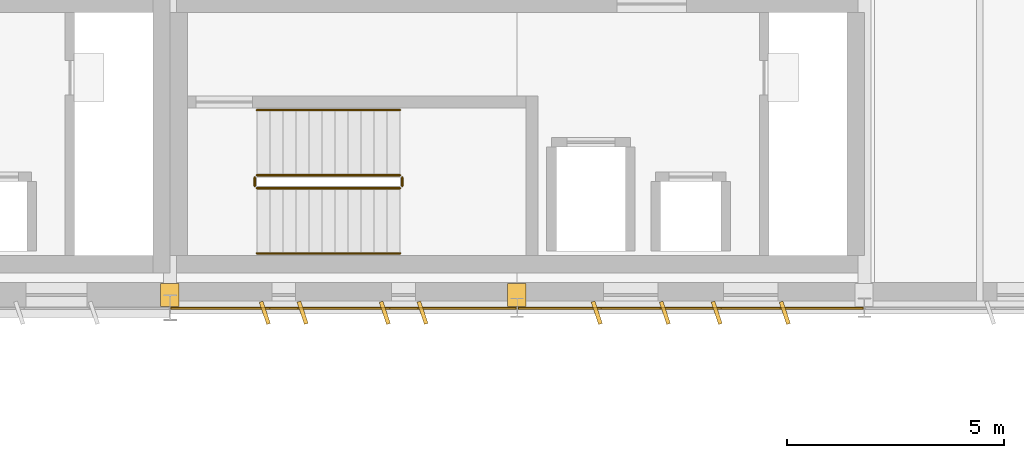
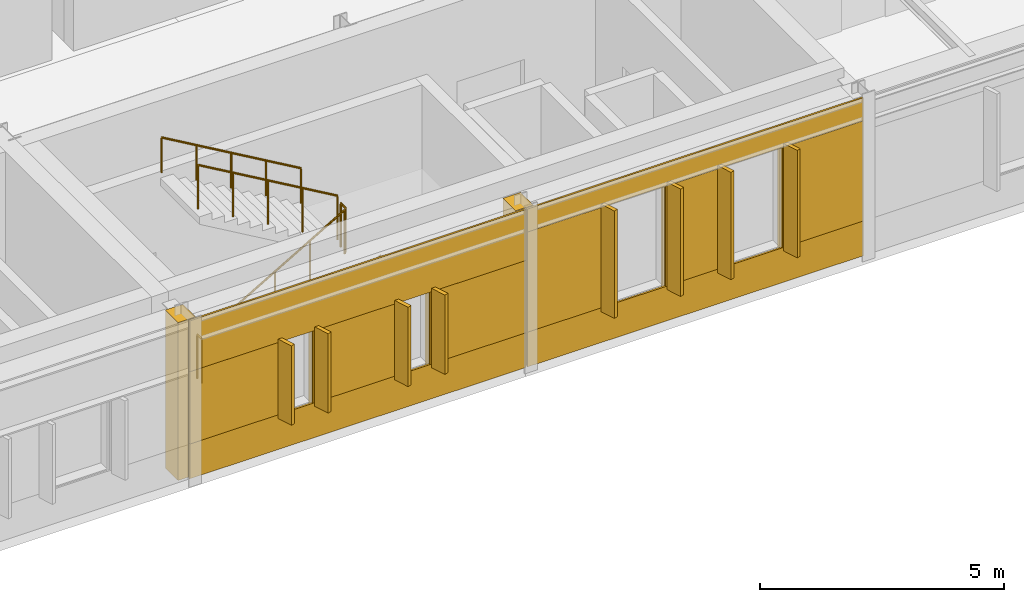
# One storey, part 51 of 63: 20 coverings, 6 railings.
"""IFC4 building model written with IfcOpenShell, lengths in metres."""

from ifc_helpers import new_model, si_unit, direction, frame, frame_2d, origin, origin_2d, place, context, subcontext, project, spatial, rectangle, circle, extrude, material, layer, layer_set, type_object, element, save


model = new_model("IFC4")

# Units and contexts
model_context = context("Model", 3, precision=1e-05, world=origin(), true_north=direction((0.0, 1.0)))
body_context = subcontext(model_context, "Body", "Model", "MODEL_VIEW")
ifc_project = project(units=[si_unit("LENGTHUNIT", "METRE"), si_unit("AREAUNIT", "SQUARE_METRE"), si_unit("VOLUMEUNIT", "CUBIC_METRE"), si_unit("PLANEANGLEUNIT", "RADIAN"), si_unit("MASSUNIT", "GRAM", prefix="KILO")], contexts=[model_context])

# Site, building, storey
site_placement = place(None, origin())
site = spatial("IfcSite", under=ifc_project, at=site_placement, CompositionType="ELEMENT")
building_placement = place(site_placement, origin())
building = spatial("IfcBuilding", under=site, at=building_placement, Name="Valkorina Park Police Headquarters", CompositionType="ELEMENT")
storey_placement = place(building_placement, frame((0.0, 0.0, 9.89990234375)))
storey = spatial("IfcBuildingStorey", under=building, at=storey_placement, Name="L03", CompositionType="ELEMENT", Elevation=9.89990234375)

# Coverings
ifc_material_1 = material(Name="Precast concrete C40/50", Category="concrete")
ifc_layer = layer(ifc_material_1, 0.044921875)
ifc_layer_set = layer_set([ifc_layer], Name="Precast concrete C40/50")
covering_type = type_object("IfcCoveringType", Name="COV-CLAD-DOLOMITE", PredefinedType="CLADDING", material=ifc_layer_set)
covering_1_placement = place(storey_placement, frame((40.7900390625, 37.2900390625, 0.0), z_axis=(0.0, 0.0, 1.0), x_axis=(1.0, 0.0, 0.0)))
element("IfcCovering", 1, at=covering_1_placement, inside=storey, type_object=covering_type, Name="L03 Exterior Joint Closure Pilaster B 2142", PredefinedType="CLADDING", context=body_context, shape_type="SweptSolid", body=[
    extrude(rectangle(XDim=0.419921875, YDim=0.52197265625, at=origin_2d()), origin(), (0.0, 0.0, 1.0), 3.955078125),
])
for number, where, z_axis, x_axis, name in (
    (2, (46.96728515625, 36.8798828125, 0.780029296875), (0.0, 0.0, 1.0), (0.317304656405, -0.948323655206, 0.0), "Slanted 18.5-deg Precast Window Slot Fin 2143"),
    (3, (45.3974609375, 36.8798828125, 0.780029296875), (0.0, 0.0, 1.0), (0.317304656405, -0.948323655206, 0.0), "Slanted 18.5-deg Precast Window Slot Fin 2144"),
    (4, (44.20263671875, 36.8798828125, 0.780029296875), (0.0, 0.0, 1.0), (0.317304656405, -0.948323655206, 0.0), "Slanted 18.5-deg Precast Window Slot Fin 2145"),
    (5, (42.632568359375, 36.8798828125, 0.780029296875), (0.0, 0.0, 1.0), (0.317304656405, -0.948323655206, 0.0), "Slanted 18.5-deg Precast Window Slot Fin 2146"),
):
    element("IfcCovering", number, at=place(storey_placement, frame(where, z_axis=z_axis, x_axis=x_axis)), inside=storey, type_object=covering_type, Name=name, PredefinedType="CLADDING", context=body_context, shape_type="SweptSolid", body=[
        extrude(rectangle(XDim=0.5400390625, YDim=0.090087890625, at=origin_2d()), origin(), (0.0, 0.0, 1.0), 2.68994140625),
    ])
covering_2_placement = place(storey_placement, frame((48.780029296875, 36.985107421875, 0.0), z_axis=(0.0, 0.0, 1.0), x_axis=(-1.0, 0.0, 0.0)))
element("IfcCovering", 6, at=covering_2_placement, inside=storey, type_object=covering_type, Name="L03 Calm Concrete Base Sill Spandrel 2147", PredefinedType="CLADDING", context=body_context, shape_type="SweptSolid", body=[
    extrude(rectangle(XDim=7.9599609375, YDim=0.044921875, at=frame_2d((3.97998046875, 0.0))), origin(), (0.0, 0.0, 1.0), 0.8701171875),
])
covering_3_placement = place(storey_placement, frame((48.780029296875, 36.985107421875, 3.380126953125), z_axis=(0.0, 0.0, 1.0), x_axis=(-1.0, 0.0, 0.0)))
element("IfcCovering", 7, at=covering_3_placement, inside=storey, type_object=covering_type, Name="L03 Calm Concrete Base Lintel Spandrel 2148", PredefinedType="CLADDING", context=body_context, shape_type="SweptSolid", body=[
    extrude(rectangle(XDim=7.9599609375, YDim=0.044921875, at=frame_2d((3.97998046875, 0.0))), origin(), (0.0, 0.0, 1.0), 0.574951171875),
])
covering_4_placement = place(storey_placement, frame((48.780029296875, 36.985107421875, 0.8701171875), z_axis=(0.0, 0.0, 1.0), x_axis=(-1.0, 0.0, 0.0)))
element("IfcCovering", 8, at=covering_4_placement, inside=storey, type_object=covering_type, Name="L03 Calm Concrete Base Slot Pier 2149", PredefinedType="CLADDING", context=body_context, shape_type="SweptSolid", body=[
    extrude(rectangle(XDim=1.922607421875, YDim=0.044921875, at=frame_2d((0.96142578125, 0.0))), origin(), (0.0, 0.0, 1.0), 2.510009765625),
])
covering_5_placement = place(storey_placement, frame((45.50732421875, 36.985107421875, 0.8701171875), z_axis=(0.0, 0.0, 1.0), x_axis=(-1.0, 0.0, 0.0)))
element("IfcCovering", 9, at=covering_5_placement, inside=storey, type_object=covering_type, Name="L03 Calm Concrete Base Slot Pier 2150", PredefinedType="CLADDING", context=body_context, shape_type="SweptSolid", body=[
    extrude(rectangle(XDim=1.414794921875, YDim=0.044921875, at=frame_2d((0.70751953125, 0.0))), origin(), (0.0, 0.0, 1.0), 2.510009765625),
])
covering_6_placement = place(storey_placement, frame((42.74267578125, 36.985107421875, 0.8701171875), z_axis=(0.0, 0.0, 1.0), x_axis=(-1.0, 0.0, 0.0)))
element("IfcCovering", 10, at=covering_6_placement, inside=storey, type_object=covering_type, Name="L03 Calm Concrete Base Slot Pier 2151", PredefinedType="CLADDING", context=body_context, shape_type="SweptSolid", body=[
    extrude(rectangle(XDim=1.922607421875, YDim=0.044921875, at=frame_2d((0.96142578125, 0.0))), origin(), (0.0, 0.0, 1.0), 2.510009765625),
])
covering_7_placement = place(storey_placement, frame((32.7900390625, 37.2900390625, 0.0), z_axis=(0.0, 0.0, 1.0), x_axis=(1.0, 0.0, 0.0)))
element("IfcCovering", 11, at=covering_7_placement, inside=storey, type_object=covering_type, Name="L03 Exterior Joint Closure Pilaster B 2152", PredefinedType="CLADDING", context=body_context, shape_type="SweptSolid", body=[
    extrude(rectangle(XDim=0.419921875, YDim=0.52197265625, at=origin_2d()), origin(), (0.0, 0.0, 1.0), 3.955078125),
])
for number, where, z_axis, x_axis, name in (
    (12, (38.617431640625, 36.8798828125, 0.7802734375), (0.0, 0.0, 1.0), (0.317304656405, -0.948323655206, 0.0), "Slanted 18.5-deg Precast Window Slot Fin 2153"),
    (13, (37.747314453125, 36.8798828125, 0.7802734375), (0.0, 0.0, 1.0), (0.317304656405, -0.948323655206, 0.0), "Slanted 18.5-deg Precast Window Slot Fin 2154"),
    (14, (35.8525390625, 36.8798828125, 0.7802734375), (0.0, 0.0, 1.0), (0.317304656405, -0.948323655206, 0.0), "Slanted 18.5-deg Precast Window Slot Fin 2155"),
    (15, (34.982666015625, 36.8798828125, 0.7802734375), (0.0, 0.0, 1.0), (0.317304656405, -0.948323655206, 0.0), "Slanted 18.5-deg Precast Window Slot Fin 2156"),
):
    element("IfcCovering", number, at=place(storey_placement, frame(where, z_axis=z_axis, x_axis=x_axis)), inside=storey, type_object=covering_type, Name=name, PredefinedType="CLADDING", context=body_context, shape_type="SweptSolid", body=[
        extrude(rectangle(XDim=0.5400390625, YDim=0.090087890625, at=origin_2d()), origin(), (0.0, 0.0, 1.0), 1.989990234375),
    ])
covering_8_placement = place(storey_placement, frame((40.780029296875, 36.985107421875, 0.0), z_axis=(0.0, 0.0, 1.0), x_axis=(-1.0, 0.0, 0.0)))
element("IfcCovering", 16, at=covering_8_placement, inside=storey, type_object=covering_type, Name="L03 Calm Concrete Base Sill Spandrel 2157", PredefinedType="CLADDING", context=body_context, shape_type="SweptSolid", body=[
    extrude(rectangle(XDim=7.9599609375, YDim=0.044921875, at=frame_2d((3.97998046875, 0.0))), origin(), (0.0, 0.0, 1.0), 0.8701171875),
])
covering_9_placement = place(storey_placement, frame((40.780029296875, 36.985107421875, 2.68017578125), z_axis=(0.0, 0.0, 1.0), x_axis=(-1.0, 0.0, 0.0)))
element("IfcCovering", 17, at=covering_9_placement, inside=storey, type_object=covering_type, Name="L03 Calm Concrete Base Lintel Spandrel 2158", PredefinedType="CLADDING", context=body_context, shape_type="SweptSolid", body=[
    extrude(rectangle(XDim=7.9599609375, YDim=0.044921875, at=frame_2d((3.97998046875, 0.0))), origin(), (0.0, 0.0, 1.0), 1.27490234375),
])
covering_10_placement = place(storey_placement, frame((40.780029296875, 36.985107421875, 0.8701171875), z_axis=(0.0, 0.0, 1.0), x_axis=(-1.0, 0.0, 0.0)))
element("IfcCovering", 18, at=covering_10_placement, inside=storey, type_object=covering_type, Name="L03 Calm Concrete Base Slot Pier 2159", PredefinedType="CLADDING", context=body_context, shape_type="SweptSolid", body=[
    extrude(rectangle(XDim=2.272705078125, YDim=0.044921875, at=frame_2d((1.13623046875, 0.0))), origin(), (0.0, 0.0, 1.0), 1.81005859375),
])
covering_11_placement = place(storey_placement, frame((37.857421875, 36.985107421875, 0.8701171875), z_axis=(0.0, 0.0, 1.0), x_axis=(-1.0, 0.0, 0.0)))
element("IfcCovering", 19, at=covering_11_placement, inside=storey, type_object=covering_type, Name="L03 Calm Concrete Base Slot Pier 2160", PredefinedType="CLADDING", context=body_context, shape_type="SweptSolid", body=[
    extrude(rectangle(XDim=2.11474609375, YDim=0.044921875, at=frame_2d((1.057373046875, 0.0))), origin(), (0.0, 0.0, 1.0), 1.81005859375),
])
covering_12_placement = place(storey_placement, frame((35.092529296875, 36.985107421875, 0.8701171875), z_axis=(0.0, 0.0, 1.0), x_axis=(-1.0, 0.0, 0.0)))
element("IfcCovering", 20, at=covering_12_placement, inside=storey, type_object=covering_type, Name="L03 Calm Concrete Base Slot Pier 2161", PredefinedType="CLADDING", context=body_context, shape_type="SweptSolid", body=[
    extrude(rectangle(XDim=2.2724609375, YDim=0.044921875, at=frame_2d((1.13623046875, 0.0))), origin(), (0.0, 0.0, 1.0), 1.81005859375),
])

# Railings
ifc_material_2 = material(Name="Stainless steel EN 1.4404", Category="steel")
railing_type_1 = type_object("IfcRailingType", Name="RL-GUARD-INT-1100", PredefinedType="BALUSTRADE", material=ifc_material_2)
railing_1_placement = place(storey_placement, frame((34.800048828125, 39.75, 0.175048828125)))
element("IfcRailing", 21, at=railing_1_placement, inside=storey, type_object=railing_type_1, Name="L03 Core C2 Stair Guard 1", PredefinedType="BALUSTRADE", context=body_context, shape_type="SweptSolid", body=[
    extrude(circle(Radius=0.02392578125, at=origin_2d()), frame((0.0, 0.0, 1.09619140625), z_axis=(0.863776583165, 0.0, 0.503874998761), x_axis=(0.0, 1.0, 0.0)), (0.0, 0.0, 1.0), 3.820556640625),
    extrude(circle(Radius=0.02099609375, at=origin_2d()), origin(), (0.0, 0.0, 1.0), 1.072021484375),
    extrude(circle(Radius=0.02099609375, at=origin_2d()), frame((0.824951171875, 0.0, 0.481201171875)), (0.0, 0.0, 1.0), 1.072021484375),
    extrude(circle(Radius=0.02099609375, at=origin_2d()), frame((1.64990234375, 0.0, 0.96240234375)), (0.0, 0.0, 1.0), 1.072021484375),
    extrude(circle(Radius=0.02099609375, at=origin_2d()), frame((2.47509765625, 0.0, 1.44384765625)), (0.0, 0.0, 1.0), 1.072021484375),
    extrude(circle(Radius=0.02099609375, at=origin_2d()), frame((3.300048828125, 0.0, 1.925048828125)), (0.0, 0.0, 1.0), 1.072021484375),
])
railing_2_placement = place(storey_placement, frame((38.14990234375, 39.800048828125, 2.10009765625)))
element("IfcRailing", 22, at=railing_2_placement, inside=storey, type_object=railing_type_1, Name="L03 Core C2 Stair Guard 2", PredefinedType="BALUSTRADE", context=body_context, shape_type="SweptSolid", body=[
    extrude(circle(Radius=0.02392578125, at=origin_2d()), frame((0.0, 0.0, 1.09619140625), z_axis=(0.0, 1.0, 0.0), x_axis=(-1.0, 0.0, 0.0)), (0.0, 0.0, 1.0), 0.199951171875),
    extrude(circle(Radius=0.02099609375, at=origin_2d()), origin(), (0.0, 0.0, 1.0), 1.072021484375),
    extrude(circle(Radius=0.02099609375, at=origin_2d()), frame((0.0, 0.199951171875, 0.0)), (0.0, 0.0, 1.0), 1.072021484375),
])
railing_3_placement = place(storey_placement, frame((38.10009765625, 40.050048828125, 2.275146484375)))
element("IfcRailing", 23, at=railing_3_placement, inside=storey, type_object=railing_type_1, Name="L03 Core C2 Stair Guard 3", PredefinedType="BALUSTRADE", context=body_context, shape_type="SweptSolid", body=[
    extrude(circle(Radius=0.02392578125, at=origin_2d()), frame((0.0, 0.0, 1.09619140625), z_axis=(-0.863776583165, 0.0, 0.503874998761), x_axis=(0.0, -1.0, 0.0)), (0.0, 0.0, 1.0), 3.820556640625),
    extrude(circle(Radius=0.02099609375, at=origin_2d()), origin(), (0.0, 0.0, 1.0), 1.072021484375),
    extrude(circle(Radius=0.02099609375, at=origin_2d()), frame((-0.824951171875, 0.0, 0.481201171875)), (0.0, 0.0, 1.0), 1.072021484375),
    extrude(circle(Radius=0.02099609375, at=origin_2d()), frame((-1.64990234375, 0.0, 0.96240234375)), (0.0, 0.0, 1.0), 1.072021484375),
    extrude(circle(Radius=0.02099609375, at=origin_2d()), frame((-2.47509765625, 0.0, 1.44384765625)), (0.0, 0.0, 1.0), 1.072021484375),
    extrude(circle(Radius=0.02099609375, at=origin_2d()), frame((-3.300048828125, 0.0, 1.925048828125)), (0.0, 0.0, 1.0), 1.072021484375),
])
railing_4_placement = place(storey_placement, frame((34.75, 39.800048828125, 0.0)))
element("IfcRailing", 24, at=railing_4_placement, inside=storey, type_object=railing_type_1, Name="L03 Core C2 Stair Guard 4", PredefinedType="BALUSTRADE", context=body_context, shape_type="SweptSolid", body=[
    extrude(circle(Radius=0.02392578125, at=origin_2d()), frame((0.0, 0.0, 1.09619140625), z_axis=(0.0, 1.0, 0.0), x_axis=(-1.0, 0.0, 0.0)), (0.0, 0.0, 1.0), 0.199951171875),
    extrude(circle(Radius=0.02099609375, at=origin_2d()), origin(), (0.0, 0.0, 1.0), 1.072021484375),
    extrude(circle(Radius=0.02099609375, at=origin_2d()), frame((0.0, 0.199951171875, 0.0)), (0.0, 0.0, 1.0), 1.072021484375),
])
railing_type_2 = type_object("IfcRailingType", Name="RL-HANDRAIL-900", PredefinedType="HANDRAIL", material=ifc_material_2)
railing_5_placement = place(storey_placement, frame((34.800048828125, 38.25, 0.175048828125)))
element("IfcRailing", 25, at=railing_5_placement, inside=storey, type_object=railing_type_2, Name="L03 Core C2 Stair Handrail 1", PredefinedType="HANDRAIL", context=body_context, shape_type="SweptSolid", body=[
    extrude(circle(Radius=0.02392578125, at=origin_2d()), frame((0.0, 0.0, 0.8759765625), z_axis=(0.863776583165, 0.0, 0.503874998761), x_axis=(0.0, 1.0, 0.0)), (0.0, 0.0, 1.0), 3.820556640625),
    extrude(circle(Radius=0.02099609375, at=origin_2d()), origin(), (0.0, 0.0, 1.0), 0.851806640625),
    extrude(circle(Radius=0.02099609375, at=origin_2d()), frame((0.824951171875, 0.0, 0.481201171875)), (0.0, 0.0, 1.0), 0.851806640625),
    extrude(circle(Radius=0.02099609375, at=origin_2d()), frame((1.64990234375, 0.0, 0.96240234375)), (0.0, 0.0, 1.0), 0.851806640625),
    extrude(circle(Radius=0.02099609375, at=origin_2d()), frame((2.47509765625, 0.0, 1.44384765625)), (0.0, 0.0, 1.0), 0.851806640625),
    extrude(circle(Radius=0.02099609375, at=origin_2d()), frame((3.300048828125, 0.0, 1.925048828125)), (0.0, 0.0, 1.0), 0.851806640625),
])
railing_6_placement = place(storey_placement, frame((38.10009765625, 41.550048828125, 2.275146484375)))
element("IfcRailing", 26, at=railing_6_placement, inside=storey, type_object=railing_type_2, Name="L03 Core C2 Stair Handrail 2", PredefinedType="HANDRAIL", context=body_context, shape_type="SweptSolid", body=[
    extrude(circle(Radius=0.02392578125, at=origin_2d()), frame((0.0, 0.0, 0.8759765625), z_axis=(-0.863776583165, 0.0, 0.503874998761), x_axis=(0.0, -1.0, 0.0)), (0.0, 0.0, 1.0), 3.820556640625),
    extrude(circle(Radius=0.02099609375, at=origin_2d()), origin(), (0.0, 0.0, 1.0), 0.851806640625),
    extrude(circle(Radius=0.02099609375, at=origin_2d()), frame((-0.824951171875, 0.0, 0.481201171875)), (0.0, 0.0, 1.0), 0.851806640625),
    extrude(circle(Radius=0.02099609375, at=origin_2d()), frame((-1.64990234375, 0.0, 0.96240234375)), (0.0, 0.0, 1.0), 0.851806640625),
    extrude(circle(Radius=0.02099609375, at=origin_2d()), frame((-2.47509765625, 0.0, 1.44384765625)), (0.0, 0.0, 1.0), 0.851806640625),
    extrude(circle(Radius=0.02099609375, at=origin_2d()), frame((-3.300048828125, 0.0, 1.925048828125)), (0.0, 0.0, 1.0), 0.851806640625),
])

save(model, "model.ifc")
